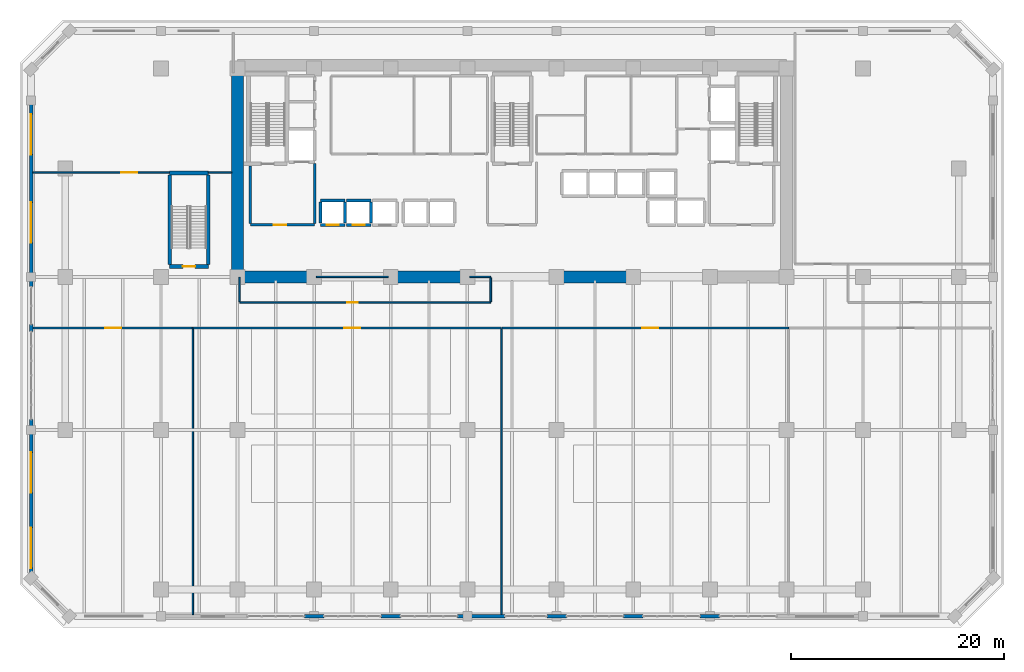
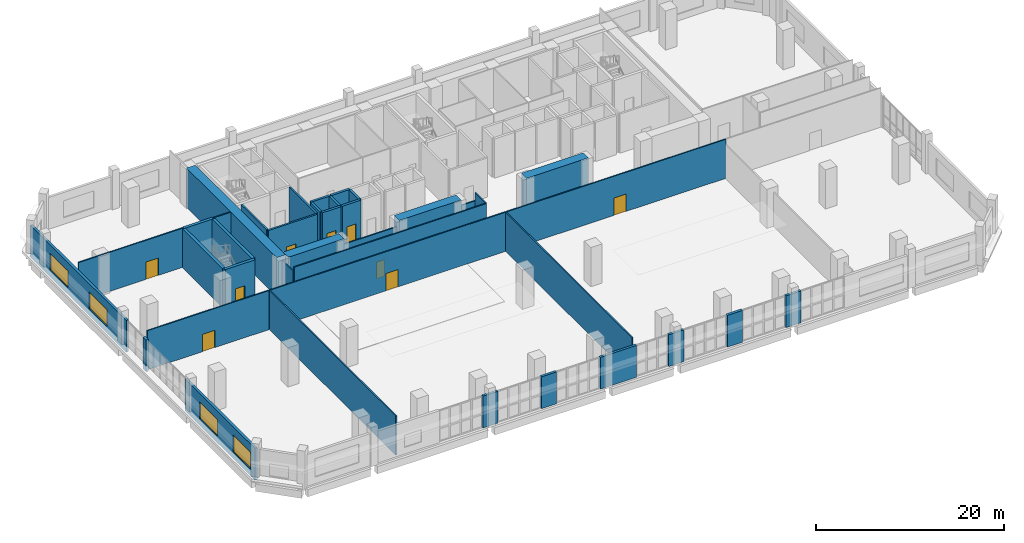
# One storey, part 18 of 25: 39 walls, 9 doors, 4 windows, 13 openings.
"""IFC4 building model written with IfcOpenShell, lengths in metres."""

from ifc_helpers import new_model, si_unit, direction, frame, frame_2d, origin, place, context, subcontext, project, spatial, rectangle, extrude, material, layer, layer_set, type_object, element, fill, save


model = new_model("IFC4")

# Units and contexts
model_context = context("Model", 3, precision=1e-05, world=origin(), true_north=direction((0.0, 1.0)))
body_context = subcontext(model_context, "Body", "Model", "MODEL_VIEW")
ifc_project = project(units=[si_unit("LENGTHUNIT", "METRE"), si_unit("AREAUNIT", "SQUARE_METRE"), si_unit("VOLUMEUNIT", "CUBIC_METRE"), si_unit("PLANEANGLEUNIT", "RADIAN"), si_unit("MASSUNIT", "GRAM", prefix="KILO")], contexts=[model_context])

# Site, building, storey
site_placement = place(None, origin())
site = spatial("IfcSite", under=ifc_project, at=site_placement, CompositionType="ELEMENT")
building_placement = place(site_placement, origin())
building = spatial("IfcBuilding", under=site, at=building_placement, Name="Kaelvorn Grand Hotel", CompositionType="ELEMENT")
storey_placement = place(building_placement, frame((0.0, 0.0, 14.0)))
storey = spatial("IfcBuildingStorey", under=building, at=storey_placement, Name="L02", CompositionType="ELEMENT", Elevation=14.0)

# Walls
ifc_material_1 = material(Name="Concrete C80/95", Category="concrete")
ifc_layer_1 = layer(ifc_material_1, 1.10009765625)
ifc_layer_set_1 = layer_set([ifc_layer_1], Name="Concrete C80/95")
wall_type_1 = type_object("IfcWallType", Name="WL-CORE-1100-C80", PredefinedType="SHEAR", material=ifc_layer_set_1)
wall_1_placement = place(storey_placement, frame((16.199951171875, 29.39990234375, 0.0), z_axis=(0.0, 0.0, 1.0), x_axis=(0.0, 1.0, 0.0)))
element("IfcWall", 1, at=wall_1_placement, inside=storey, type_object=wall_type_1, Name="L02 Rear-Core West Shear Wall", PredefinedType="SHEAR", context=body_context, shape_type="SweptSolid", body=[
    extrude(rectangle(XDim=19.2001953125, YDim=1.10009765625, at=frame_2d((9.60009765625, 0.0))), origin(), (0.0, 0.0, 1.0), 5.080078125),
])
wall_2_placement = place(storey_placement, frame((16.7548828125, 29.39990234375, 0.0), z_axis=(0.0, 0.0, 1.0), x_axis=(1.0, 0.0, 0.0)))
element("IfcWall", 2, at=wall_2_placement, inside=storey, type_object=wall_type_1, Name="L02 Rear-Core Coupled Shear Pier S1", PredefinedType="SHEAR", context=body_context, shape_type="SweptSolid", body=[
    extrude(rectangle(XDim=6.84521484375, YDim=1.10009765625, at=frame_2d((3.422607421875, 0.0))), origin(), (0.0, 0.0, 1.0), 5.080078125),
])
for number, where, z_axis, x_axis, name in (
    (3, (30.39990234375, 29.39990234375, 0.0), (0.0, 0.0, 1.0), (1.0, 0.0, 0.0), "L02 Rear-Core Coupled Shear Pier S2"),
    (4, (46.0, 29.39990234375, 0.0), (0.0, 0.0, 1.0), (1.0, 0.0, 0.0), "L02 Rear-Core Coupled Shear Pier S3"),
):
    element("IfcWall", number, at=place(storey_placement, frame(where, z_axis=z_axis, x_axis=x_axis)), inside=storey, type_object=wall_type_1, Name=name, PredefinedType="SHEAR", context=body_context, shape_type="SweptSolid", body=[
        extrude(rectangle(XDim=7.60009765625, YDim=1.10009765625, at=frame_2d((3.800048828125, 0.0))), origin(), (0.0, 0.0, 1.0), 5.080078125),
    ])
ifc_material_2 = material(Name="Concrete C40/50", Category="concrete")
ifc_layer_2 = layer(ifc_material_2, 0.300048828125)
ifc_layer_set_2 = layer_set([ifc_layer_2], Name="Concrete C40/50")
wall_type_2 = type_object("IfcWallType", Name="WL-EXT-300-C40", PredefinedType="SOLIDWALL", material=ifc_layer_set_2)
for number, where, z_axis, x_axis, name in (
    (5, (22.47509765625, -2.5, 0.0), (0.0, 0.0, 1.0), (1.0, 0.0, 0.0), "L02 Exterior Architectural Concrete Wall 01 Pier 2"),
    (6, (29.675048828125, -2.5, 0.0), (0.0, 0.0, 1.0), (1.0, 0.0, 0.0), "L02 Exterior Architectural Concrete Wall 01 Pier 3"),
):
    element("IfcWall", number, at=place(storey_placement, frame(where, z_axis=z_axis, x_axis=x_axis)), inside=storey, type_object=wall_type_2, Name=name, PredefinedType="SOLIDWALL", context=body_context, shape_type="SweptSolid", body=[
        extrude(rectangle(XDim=1.849853515625, YDim=0.300048828125, at=frame_2d((0.9248046875, 0.0))), origin(), (0.0, 0.0, 1.0), 4.1298828125),
    ])
wall_3_placement = place(storey_placement, frame((36.875, -2.5, 0.0), z_axis=(0.0, 0.0, 1.0), x_axis=(1.0, 0.0, 0.0)))
element("IfcWall", 7, at=wall_3_placement, inside=storey, type_object=wall_type_2, Name="L02 Exterior Architectural Concrete Wall 01 Pier 4", PredefinedType="SOLIDWALL", context=body_context, shape_type="SweptSolid", body=[
    extrude(rectangle(XDim=4.449951171875, YDim=0.300048828125, at=frame_2d((2.22509765625, 0.0))), origin(), (0.0, 0.0, 1.0), 4.1298828125),
])
wall_4_placement = place(storey_placement, frame((45.27490234375, -2.5, 0.0), z_axis=(0.0, 0.0, 1.0), x_axis=(1.0, 0.0, 0.0)))
element("IfcWall", 8, at=wall_4_placement, inside=storey, type_object=wall_type_2, Name="L02 Exterior Architectural Concrete Wall 01 Pier 5", PredefinedType="SOLIDWALL", context=body_context, shape_type="SweptSolid", body=[
    extrude(rectangle(XDim=1.85009765625, YDim=0.300048828125, at=frame_2d((0.925048828125, 0.0))), origin(), (0.0, 0.0, 1.0), 4.1298828125),
])
for number, where, z_axis, x_axis, name in (
    (9, (52.47509765625, -2.5, 0.0), (0.0, 0.0, 1.0), (1.0, 0.0, 0.0), "L02 Exterior Architectural Concrete Wall 01 Pier 6"),
    (10, (59.675048828125, -2.5, 0.0), (0.0, 0.0, 1.0), (1.0, 0.0, 0.0), "L02 Exterior Architectural Concrete Wall 01 Pier 7"),
):
    element("IfcWall", number, at=place(storey_placement, frame(where, z_axis=z_axis, x_axis=x_axis)), inside=storey, type_object=wall_type_2, Name=name, PredefinedType="SOLIDWALL", context=body_context, shape_type="SweptSolid", body=[
        extrude(rectangle(XDim=1.849853515625, YDim=0.300048828125, at=frame_2d((0.9248046875, 0.0))), origin(), (0.0, 0.0, 1.0), 4.1298828125),
    ])

# Wall, openings, windows
wall_5_placement = place(storey_placement, frame((-3.199951171875, 48.89990234375, 0.0), z_axis=(0.0, 0.0, 1.0), x_axis=(0.0, -1.0, 0.0)))
wall_5 = element("IfcWall", 11, at=wall_5_placement, inside=storey, type_object=wall_type_2, Name="L02 Exterior Architectural Concrete Wall 07 Pier 1", PredefinedType="SOLIDWALL", context=body_context, shape_type="SweptSolid", body=[
    extrude(rectangle(XDim=20.4248046875, YDim=0.300048828125, at=frame_2d((10.21240234375, 0.0))), origin(), (0.0, 0.0, 1.0), 4.1298828125),
])
opening_1_placement = place(wall_5_placement, frame((12.5, 0.0, 0.85009765625)))
opening_1 = element("IfcOpeningElement", 12, at=opening_1_placement, cuts=wall_5, Name="Opening W9", PredefinedType="OPENING", context=body_context, shape_type="SweptSolid", body=[
    extrude(rectangle(XDim=3.800048828125, YDim=2.199951171875, at=frame_2d((1.89990234375, 1.10009765625))), frame((0.0, 0.16015625, 0.0), z_axis=(0.0, -1.0, 0.0), x_axis=(1.0, 0.0, 0.0)), (0.0, 0.0, 1.0), 0.320068359375),
])
opening_2_placement = place(wall_5_placement, frame((4.199951171875, 0.0, 0.85009765625)))
opening_2 = element("IfcOpeningElement", 13, at=opening_2_placement, cuts=wall_5, Name="Opening W9", PredefinedType="OPENING", context=body_context, shape_type="SweptSolid", body=[
    extrude(rectangle(XDim=3.800048828125, YDim=2.199951171875, at=frame_2d((1.89990234375, 1.10009765625))), frame((0.0, 0.16015625, 0.0), z_axis=(0.0, -1.0, 0.0), x_axis=(1.0, 0.0, 0.0)), (0.0, 0.0, 1.0), 0.320068359375),
])
ifc_material_3 = material(Name="Laminated Low-E Glass", Category="glass")
window_type = type_object("IfcWindowType", Name="WIN-POD-3800x2200", PartitioningType="SINGLE_PANEL", PredefinedType="WINDOW", material=ifc_material_3)
window_1_placement = place(opening_1_placement, origin())
window_1 = element("IfcWindow", 14, at=window_1_placement, inside=storey, type_object=window_type, Name="L02 Podium W Ribbon Window 1", OverallHeight=2.199951171875, OverallWidth=3.800048828125, PartitioningType="SINGLE_PANEL", PredefinedType="WINDOW", context=body_context, shape_type="SweptSolid", body=[
    extrude(rectangle(XDim=3.800048828125, YDim=2.199951171875, at=frame_2d((1.89990234375, 1.10009765625))), frame((0.0, 0.030029296875, 0.0), z_axis=(0.0, -1.0, 0.0), x_axis=(1.0, 0.0, 0.0)), (0.0, 0.0, 1.0), 0.06005859375),
])
fill(opening_1, window_1)
window_2_placement = place(opening_2_placement, origin())
window_2 = element("IfcWindow", 15, at=window_2_placement, inside=storey, type_object=window_type, Name="L02 Podium W Ribbon Window 2", OverallHeight=2.199951171875, OverallWidth=3.800048828125, PartitioningType="SINGLE_PANEL", PredefinedType="WINDOW", context=body_context, shape_type="SweptSolid", body=[
    extrude(rectangle(XDim=3.800048828125, YDim=2.199951171875, at=frame_2d((1.89990234375, 1.10009765625))), frame((0.0, 0.030029296875, 0.0), z_axis=(0.0, -1.0, 0.0), x_axis=(1.0, 0.0, 0.0)), (0.0, 0.0, 1.0), 0.06005859375),
])
fill(opening_2, window_2)

# Wall
wall_6_placement = place(storey_placement, frame((-3.199951171875, 24.925048828125, 0.0), z_axis=(0.0, 0.0, 1.0), x_axis=(0.0, -1.0, 0.0)))
element("IfcWall", 16, at=wall_6_placement, inside=storey, type_object=wall_type_2, Name="L02 Exterior Architectural Concrete Wall 07 Pier 2", PredefinedType="SOLIDWALL", context=body_context, shape_type="SweptSolid", body=[
    extrude(rectangle(XDim=0.650146484375, YDim=0.300048828125, at=frame_2d((0.3251953125, 0.0))), origin(), (0.0, 0.0, 1.0), 4.1298828125),
])

# Wall, openings, windows
wall_7_placement = place(storey_placement, frame((-3.199951171875, 16.0048828125, 0.0), z_axis=(0.0, 0.0, 1.0), x_axis=(0.0, -1.0, 0.0)))
wall_7 = element("IfcWall", 17, at=wall_7_placement, inside=storey, type_object=wall_type_2, Name="L02 Exterior Architectural Concrete Wall 07 Pier 3", PredefinedType="SOLIDWALL", context=body_context, shape_type="SweptSolid", body=[
    extrude(rectangle(XDim=14.90478515625, YDim=0.300048828125, at=frame_2d((7.452392578125, 0.0))), origin(), (0.0, 0.0, 1.0), 4.1298828125),
])
opening_3_placement = place(wall_7_placement, frame((10.179931640625, 0.0, 0.85009765625)))
opening_3 = element("IfcOpeningElement", 18, at=opening_3_placement, cuts=wall_7, Name="Opening W9", PredefinedType="OPENING", context=body_context, shape_type="SweptSolid", body=[
    extrude(rectangle(XDim=3.800048828125, YDim=2.199951171875, at=frame_2d((1.89990234375, 1.10009765625))), frame((0.0, 0.16015625, 0.0), z_axis=(0.0, -1.0, 0.0), x_axis=(1.0, 0.0, 0.0)), (0.0, 0.0, 1.0), 0.320068359375),
])
opening_4_placement = place(wall_7_placement, frame((3.10498046875, 0.0, 0.85009765625)))
opening_4 = element("IfcOpeningElement", 19, at=opening_4_placement, cuts=wall_7, Name="Opening W9", PredefinedType="OPENING", context=body_context, shape_type="SweptSolid", body=[
    extrude(rectangle(XDim=3.800048828125, YDim=2.199951171875, at=frame_2d((1.89990234375, 1.10009765625))), frame((0.0, 0.16015625, 0.0), z_axis=(0.0, -1.0, 0.0), x_axis=(1.0, 0.0, 0.0)), (0.0, 0.0, 1.0), 0.320068359375),
])
window_3_placement = place(opening_3_placement, origin())
window_3 = element("IfcWindow", 20, at=window_3_placement, inside=storey, type_object=window_type, Name="L02 Podium W Ribbon Window 1", OverallHeight=2.199951171875, OverallWidth=3.800048828125, PartitioningType="SINGLE_PANEL", PredefinedType="WINDOW", context=body_context, shape_type="SweptSolid", body=[
    extrude(rectangle(XDim=3.800048828125, YDim=2.199951171875, at=frame_2d((1.89990234375, 1.10009765625))), frame((0.0, 0.030029296875, 0.0), z_axis=(0.0, -1.0, 0.0), x_axis=(1.0, 0.0, 0.0)), (0.0, 0.0, 1.0), 0.06005859375),
])
fill(opening_3, window_3)
window_4_placement = place(opening_4_placement, origin())
window_4 = element("IfcWindow", 21, at=window_4_placement, inside=storey, type_object=window_type, Name="L02 Podium W Ribbon Window 2", OverallHeight=2.199951171875, OverallWidth=3.800048828125, PartitioningType="SINGLE_PANEL", PredefinedType="WINDOW", context=body_context, shape_type="SweptSolid", body=[
    extrude(rectangle(XDim=3.800048828125, YDim=2.199951171875, at=frame_2d((1.89990234375, 1.10009765625))), frame((0.0, 0.030029296875, 0.0), z_axis=(0.0, -1.0, 0.0), x_axis=(1.0, 0.0, 0.0)), (0.0, 0.0, 1.0), 0.06005859375),
])
fill(opening_4, window_4)

# Wall, opening, door
ifc_material_4 = material(Name="Acoustic Gypsum & Stud Partition")
ifc_layer_3 = layer(ifc_material_4, 0.14990234375)
ifc_layer_set_3 = layer_set([ifc_layer_3], Name="Acoustic Gypsum & Stud Partition")
wall_type_3 = type_object("IfcWallType", Name="WL-PART-150-EI60", PredefinedType="PARTITIONING", material=ifc_layer_set_3)
wall_8_placement = place(storey_placement, frame((-3.044921875, 39.199951171875, 0.0), z_axis=(0.0, 0.0, 1.0), x_axis=(1.0, 0.0, 0.0)))
wall_8 = element("IfcWall", 22, at=wall_8_placement, inside=storey, type_object=wall_type_3, Name="L02 L02 North-West Banquet Support & Admin Office S Partition (1)", PredefinedType="PARTITIONING", context=body_context, shape_type="SweptSolid", body=[
    extrude(rectangle(XDim=12.85986328125, YDim=0.14990234375, at=frame_2d((6.429931640625, 0.0))), origin(), (0.0, 0.0, 1.0), 5.080078125),
])
opening_5_placement = place(wall_8_placement, frame((8.294921875, 0.0, 0.0)))
opening_5 = element("IfcOpeningElement", 23, at=opening_5_placement, cuts=wall_8, Name="Opening DI5", PredefinedType="OPENING", context=body_context, shape_type="SweptSolid", body=[
    extrude(rectangle(XDim=1.5, YDim=2.25, at=frame_2d((0.75, 1.125))), frame((0.0, 0.0849609375, 0.0), z_axis=(0.0, -1.0, 0.0), x_axis=(1.0, 0.0, 0.0)), (0.0, 0.0, 1.0), 0.169921875),
])
ifc_material_5 = material(Name="Timber Veneer Fire Leaf", Category="wood")
door_type_1 = type_object("IfcDoorType", Name="DR-INT-SALON-1500x2250", OperationType="DOUBLE_DOOR_SINGLE_SWING", PredefinedType="DOOR", material=ifc_material_5)
door_1_placement = place(opening_5_placement, origin())
door_1 = element("IfcDoor", 24, at=door_1_placement, inside=storey, type_object=door_type_1, Name="L02 L02 North-West Banquet Support & Admin Office Door", OperationType="DOUBLE_DOOR_SINGLE_SWING", OverallHeight=2.25, OverallWidth=1.5, PredefinedType="DOOR", context=body_context, shape_type="SweptSolid", body=[
    extrude(rectangle(XDim=1.5, YDim=2.25, at=frame_2d((0.75, 1.125))), frame((0.0, 0.02490234375, 0.0), z_axis=(0.0, -1.0, 0.0), x_axis=(1.0, 0.0, 0.0)), (0.0, 0.0, 1.0), 0.050048828125),
])
fill(opening_5, door_1)

# Wall
wall_9_placement = place(storey_placement, frame((13.465087890625, 39.199951171875, 0.0), z_axis=(0.0, 0.0, 1.0), x_axis=(1.0, 0.0, 0.0)))
element("IfcWall", 25, at=wall_9_placement, inside=storey, type_object=wall_type_3, Name="L02 L02 North-West Banquet Support & Admin Office S Partition (2)", PredefinedType="PARTITIONING", context=body_context, shape_type="SweptSolid", body=[
    extrude(rectangle(XDim=2.179931640625, YDim=0.14990234375, at=frame_2d((1.08984375, 0.0))), origin(), (0.0, 0.0, 1.0), 5.080078125),
])

# Wall, opening, door
wall_10_placement = place(storey_placement, frame((12.0, 24.60009765625, 0.0), z_axis=(0.0, 0.0, 1.0), x_axis=(1.0, 0.0, 0.0)))
wall_10 = element("IfcWall", 26, at=wall_10_placement, inside=storey, type_object=wall_type_3, Name="L02 All-Day Dining Brasserie N Partition", PredefinedType="PARTITIONING", context=body_context, shape_type="SweptSolid", body=[
    extrude(rectangle(XDim=29.0, YDim=0.14990234375, at=frame_2d((14.5, 0.0))), origin(), (0.0, 0.0, 1.0), 5.080078125),
])
opening_6_placement = place(wall_10_placement, frame((14.25, 0.0, 0.0)))
opening_6 = element("IfcOpeningElement", 27, at=opening_6_placement, cuts=wall_10, Name="Opening DI5", PredefinedType="OPENING", context=body_context, shape_type="SweptSolid", body=[
    extrude(rectangle(XDim=1.5, YDim=2.25, at=frame_2d((0.75, 1.125))), frame((0.0, 0.0849609375, 0.0), z_axis=(0.0, -1.0, 0.0), x_axis=(1.0, 0.0, 0.0)), (0.0, 0.0, 1.0), 0.169921875),
])
door_2_placement = place(opening_6_placement, origin())
door_2 = element("IfcDoor", 28, at=door_2_placement, inside=storey, type_object=door_type_1, Name="L02 All-Day Dining Brasserie Door", OperationType="DOUBLE_DOOR_SINGLE_SWING", OverallHeight=2.25, OverallWidth=1.5, PredefinedType="DOOR", context=body_context, shape_type="SweptSolid", body=[
    extrude(rectangle(XDim=1.5, YDim=2.25, at=frame_2d((0.75, 1.125))), frame((0.0, 0.02490234375, 0.0), z_axis=(0.0, -1.0, 0.0), x_axis=(1.0, 0.0, 0.0)), (0.0, 0.0, 1.0), 0.050048828125),
])
fill(opening_6, door_2)

# Walls
for number, where, z_axis, x_axis, name in (
    (29, (12.0, -2.344970703125, 0.0), (0.0, 0.0, 1.0), (0.0, 1.0, 0.0), "L02 All-Day Dining Brasserie W Partition"),
    (30, (41.0, -2.344970703125, 0.0), (0.0, 0.0, 1.0), (0.0, 1.0, 0.0), "L02 All-Day Dining Brasserie E Partition"),
):
    element("IfcWall", number, at=place(storey_placement, frame(where, z_axis=z_axis, x_axis=x_axis)), inside=storey, type_object=wall_type_3, Name=name, PredefinedType="PARTITIONING", context=body_context, shape_type="SweptSolid", body=[
        extrude(rectangle(XDim=26.864990234375, YDim=0.14990234375, at=frame_2d((13.4326171875, 0.0))), origin(), (0.0, 0.0, 1.0), 5.080078125),
    ])

# Wall, opening, door
wall_11_placement = place(storey_placement, frame((41.080078125, 24.60009765625, 0.0), z_axis=(0.0, 0.0, 1.0), x_axis=(1.0, 0.0, 0.0)))
wall_11 = element("IfcWall", 31, at=wall_11_placement, inside=storey, type_object=wall_type_3, Name="L02 Specialty Malaysian Fine Dining Restaurant N Partition", PredefinedType="PARTITIONING", context=body_context, shape_type="SweptSolid", body=[
    extrude(rectangle(XDim=26.919921875, YDim=0.14990234375, at=frame_2d((13.4599609375, 0.0))), origin(), (0.0, 0.0, 1.0), 5.080078125),
])
opening_7_placement = place(wall_11_placement, frame((13.169921875, 0.0, 0.0)))
opening_7 = element("IfcOpeningElement", 32, at=opening_7_placement, cuts=wall_11, Name="Opening DI5", PredefinedType="OPENING", context=body_context, shape_type="SweptSolid", body=[
    extrude(rectangle(XDim=1.5, YDim=2.25, at=frame_2d((0.75, 1.125))), frame((0.0, 0.0849609375, 0.0), z_axis=(0.0, -1.0, 0.0), x_axis=(1.0, 0.0, 0.0)), (0.0, 0.0, 1.0), 0.169921875),
])
door_3_placement = place(opening_7_placement, origin())
door_3 = element("IfcDoor", 33, at=door_3_placement, inside=storey, type_object=door_type_1, Name="L02 Specialty Malaysian Fine Dining Restaurant Door", OperationType="DOUBLE_DOOR_SINGLE_SWING", OverallHeight=2.25, OverallWidth=1.5, PredefinedType="DOOR", context=body_context, shape_type="SweptSolid", body=[
    extrude(rectangle(XDim=1.5, YDim=2.25, at=frame_2d((0.75, 1.125))), frame((0.0, 0.02490234375, 0.0), z_axis=(0.0, -1.0, 0.0), x_axis=(1.0, 0.0, 0.0)), (0.0, 0.0, 1.0), 0.050048828125),
])
fill(opening_7, door_3)

wall_12_placement = place(storey_placement, frame((16.39990234375, 27.0, 0.0), z_axis=(0.0, 0.0, 1.0), x_axis=(1.0, 0.0, 0.0)))
wall_12 = element("IfcWall", 34, at=wall_12_placement, inside=storey, type_object=wall_type_3, Name="L02 Private Banquet Dining Salon S Partition", PredefinedType="PARTITIONING", context=body_context, shape_type="SweptSolid", body=[
    extrude(rectangle(XDim=23.60009765625, YDim=0.14990234375, at=frame_2d((11.800048828125, 0.0))), origin(), (0.0, 0.0, 1.0), 5.080078125),
])
opening_8_placement = place(wall_12_placement, frame((10.10009765625, 0.0, 0.0)))
opening_8 = element("IfcOpeningElement", 35, at=opening_8_placement, cuts=wall_12, Name="Opening DI3", PredefinedType="OPENING", context=body_context, shape_type="SweptSolid", body=[
    extrude(rectangle(XDim=1.0, YDim=2.14990234375, at=frame_2d((0.5, 1.074951171875))), frame((0.0, 0.0849609375, 0.0), z_axis=(0.0, -1.0, 0.0), x_axis=(1.0, 0.0, 0.0)), (0.0, 0.0, 1.0), 0.169921875),
])
door_type_2 = type_object("IfcDoorType", Name="DR-INT-GUEST-1000x2150", OperationType="NOTDEFINED", PredefinedType="DOOR", material=ifc_material_5)
door_4_placement = place(opening_8_placement, origin())
door_4 = element("IfcDoor", 36, at=door_4_placement, inside=storey, type_object=door_type_2, Name="L02 Private Banquet Dining Salon Door", OperationType="SINGLE_SWING_LEFT", OverallHeight=2.14990234375, OverallWidth=1.0, PredefinedType="DOOR", context=body_context, shape_type="SweptSolid", body=[
    extrude(rectangle(XDim=1.0, YDim=2.14990234375, at=frame_2d((0.5, 1.074951171875))), frame((0.0, 0.02490234375, 0.0), z_axis=(0.0, -1.0, 0.0), x_axis=(1.0, 0.0, 0.0)), (0.0, 0.0, 1.0), 0.050048828125),
])
fill(opening_8, door_4)

# Walls
wall_13_placement = place(storey_placement, frame((23.610107421875, 29.39990234375, 0.0), z_axis=(0.0, 0.0, 1.0), x_axis=(1.0, 0.0, 0.0)))
element("IfcWall", 37, at=wall_13_placement, inside=storey, type_object=wall_type_3, Name="L02 Private Banquet Dining Salon N Partition (1)", PredefinedType="PARTITIONING", context=body_context, shape_type="SweptSolid", body=[
    extrude(rectangle(XDim=6.77978515625, YDim=0.14990234375, at=frame_2d((3.389892578125, 0.0))), origin(), (0.0, 0.0, 1.0), 3.97998046875),
])
wall_14_placement = place(storey_placement, frame((38.010009765625, 29.39990234375, 0.0), z_axis=(0.0, 0.0, 1.0), x_axis=(1.0, 0.0, 0.0)))
element("IfcWall", 38, at=wall_14_placement, inside=storey, type_object=wall_type_3, Name="L02 Private Banquet Dining Salon N Partition (2)", PredefinedType="PARTITIONING", context=body_context, shape_type="SweptSolid", body=[
    extrude(rectangle(XDim=1.989990234375, YDim=0.14990234375, at=frame_2d((0.9951171875, 0.0))), origin(), (0.0, 0.0, 1.0), 3.97998046875),
])
wall_15_placement = place(storey_placement, frame((16.39990234375, 27.080078125, 0.0), z_axis=(0.0, 0.0, 1.0), x_axis=(0.0, 1.0, 0.0)))
element("IfcWall", 39, at=wall_15_placement, inside=storey, type_object=wall_type_3, Name="L02 Private Banquet Dining Salon W Partition", PredefinedType="PARTITIONING", context=body_context, shape_type="SweptSolid", body=[
    extrude(rectangle(XDim=2.309814453125, YDim=0.14990234375, at=frame_2d((1.15478515625, 0.0))), origin(), (0.0, 0.0, 1.0), 4.47998046875),
])
wall_16_placement = place(storey_placement, frame((40.0, 27.080078125, 0.0), z_axis=(0.0, 0.0, 1.0), x_axis=(0.0, 1.0, 0.0)))
element("IfcWall", 40, at=wall_16_placement, inside=storey, type_object=wall_type_3, Name="L02 Private Banquet Dining Salon E Partition", PredefinedType="PARTITIONING", context=body_context, shape_type="SweptSolid", body=[
    extrude(rectangle(XDim=2.239990234375, YDim=0.14990234375, at=frame_2d((1.1201171875, 0.0))), origin(), (0.0, 0.0, 1.0), 5.080078125),
])

# Wall, opening, door
wall_17_placement = place(storey_placement, frame((-3.044921875, 24.60009765625, 0.0), z_axis=(0.0, 0.0, 1.0), x_axis=(1.0, 0.0, 0.0)))
wall_17 = element("IfcWall", 41, at=wall_17_placement, inside=storey, type_object=wall_type_3, Name="L02 Main Production Kitchen N Partition", PredefinedType="PARTITIONING", context=body_context, shape_type="SweptSolid", body=[
    extrude(rectangle(XDim=14.96484375, YDim=0.14990234375, at=frame_2d((7.482421875, 0.0))), origin(), (0.0, 0.0, 1.0), 5.080078125),
])
opening_9_placement = place(wall_17_placement, frame((6.794921875, 0.0, 0.0)))
opening_9 = element("IfcOpeningElement", 42, at=opening_9_placement, cuts=wall_17, Name="Opening DI5", PredefinedType="OPENING", context=body_context, shape_type="SweptSolid", body=[
    extrude(rectangle(XDim=1.5, YDim=2.25, at=frame_2d((0.75, 1.125))), frame((0.0, 0.0849609375, 0.0), z_axis=(0.0, -1.0, 0.0), x_axis=(1.0, 0.0, 0.0)), (0.0, 0.0, 1.0), 0.169921875),
])
door_5_placement = place(opening_9_placement, origin())
door_5 = element("IfcDoor", 43, at=door_5_placement, inside=storey, type_object=door_type_1, Name="L02 Main Production Kitchen Door", OperationType="DOUBLE_DOOR_SINGLE_SWING", OverallHeight=2.25, OverallWidth=1.5, PredefinedType="DOOR", context=body_context, shape_type="SweptSolid", body=[
    extrude(rectangle(XDim=1.5, YDim=2.25, at=frame_2d((0.75, 1.125))), frame((0.0, 0.02490234375, 0.0), z_axis=(0.0, -1.0, 0.0), x_axis=(1.0, 0.0, 0.0)), (0.0, 0.0, 1.0), 0.050048828125),
])
fill(opening_9, door_5)

ifc_layer_4 = layer(ifc_material_2, 0.219970703125)
ifc_layer_set_4 = layer_set([ifc_layer_4], Name="Concrete C40/50")
wall_type_4 = type_object("IfcWallType", Name="WL-PART-220-EI120", PredefinedType="PARTITIONING", material=ifc_layer_set_4)
wall_18_placement = place(storey_placement, frame((17.39990234375, 34.300048828125, 0.0), z_axis=(0.0, 0.0, 1.0), x_axis=(1.0, 0.0, 0.0)))
wall_18 = element("IfcWall", 44, at=wall_18_placement, inside=storey, type_object=wall_type_4, Name="L02 Firefighting Lift Lobby 1 S Partition", PredefinedType="PARTITIONING", context=body_context, shape_type="SweptSolid", body=[
    extrude(rectangle(XDim=6.050048828125, YDim=0.219970703125, at=frame_2d((3.02490234375, 0.0))), origin(), (0.0, 0.0, 1.0), 5.080078125),
])
opening_10_placement = place(wall_18_placement, frame((2.199951171875, 0.0, 0.0)))
opening_10 = element("IfcOpeningElement", 45, at=opening_10_placement, cuts=wall_18, Name="Opening DI2", PredefinedType="OPENING", context=body_context, shape_type="SweptSolid", body=[
    extrude(rectangle(XDim=1.199951171875, YDim=2.14990234375, at=frame_2d((0.60009765625, 1.074951171875))), frame((0.0, 0.1201171875, 0.0), z_axis=(0.0, -1.0, 0.0), x_axis=(1.0, 0.0, 0.0)), (0.0, 0.0, 1.0), 0.239990234375),
])
door_type_3 = type_object("IfcDoorType", Name="DR-INT-FFLOB-1200x2150", OperationType="NOTDEFINED", PredefinedType="DOOR", material=ifc_material_5)
door_6_placement = place(opening_10_placement, origin())
door_6 = element("IfcDoor", 46, at=door_6_placement, inside=storey, type_object=door_type_3, Name="L02 Firefighting Lift Lobby 1 Door", OperationType="SINGLE_SWING_RIGHT", OverallHeight=2.14990234375, OverallWidth=1.199951171875, PredefinedType="DOOR", context=body_context, shape_type="SweptSolid", body=[
    extrude(rectangle(XDim=1.199951171875, YDim=2.14990234375, at=frame_2d((0.60009765625, 1.074951171875))), frame((0.0, 0.02490234375, 0.0), z_axis=(0.0, -1.0, 0.0), x_axis=(1.0, 0.0, 0.0)), (0.0, 0.0, 1.0), 0.050048828125),
])
fill(opening_10, door_6)

# Walls
wall_19_placement = place(storey_placement, frame((17.39990234375, 34.4150390625, 0.0), z_axis=(0.0, 0.0, 1.0), x_axis=(0.0, 1.0, 0.0)))
element("IfcWall", 47, at=wall_19_placement, inside=storey, type_object=wall_type_4, Name="L02 Firefighting Lift Lobby 1 W Partition", PredefinedType="PARTITIONING", context=body_context, shape_type="SweptSolid", body=[
    extrude(rectangle(XDim=5.429931640625, YDim=0.219970703125, at=frame_2d((2.71484375, 0.0))), origin(), (0.0, 0.0, 1.0), 5.080078125),
])
wall_20_placement = place(storey_placement, frame((23.449951171875, 34.4150390625, 0.0), z_axis=(0.0, 0.0, 1.0), x_axis=(0.0, 1.0, 0.0)))
element("IfcWall", 48, at=wall_20_placement, inside=storey, type_object=wall_type_4, Name="L02 Firefighting Lift Lobby 1 E Partition", PredefinedType="PARTITIONING", context=body_context, shape_type="SweptSolid", body=[
    extrude(rectangle(XDim=5.639892578125, YDim=0.219970703125, at=frame_2d((2.81982421875, 0.0))), origin(), (0.0, 0.0, 1.0), 5.080078125),
])

# Wall, opening, door
ifc_material_6 = material(Name="Concrete C50/60", Category="concrete")
ifc_layer_5 = layer(ifc_material_6, 0.280029296875)
ifc_layer_set_5 = layer_set([ifc_layer_5], Name="Concrete C50/60")
wall_type_5 = type_object("IfcWallType", Name="WL-SHAFT-280-C50", PredefinedType="SHEAR", material=ifc_layer_set_5)
wall_21_placement = place(storey_placement, frame((24.0, 34.300048828125, 0.0), z_axis=(0.0, 0.0, 1.0), x_axis=(1.0, 0.0, 0.0)))
wall_21 = element("IfcWall", 49, at=wall_21_placement, inside=storey, type_object=wall_type_5, Name="L02 Lift PL-L1 Shaft South Wall", PredefinedType="SHEAR", context=body_context, shape_type="SweptSolid", body=[
    extrude(rectangle(XDim=2.300048828125, YDim=0.280029296875, at=frame_2d((1.14990234375, 0.0))), origin(), (0.0, 0.0, 1.0), 5.080078125),
])
opening_11_placement = place(wall_21_placement, frame((0.60009765625, 0.0, 0.0)))
opening_11 = element("IfcOpeningElement", 50, at=opening_11_placement, cuts=wall_21, Name="Opening LD-PL-L1", PredefinedType="OPENING", context=body_context, shape_type="SweptSolid", body=[
    extrude(rectangle(XDim=1.10009765625, YDim=2.199951171875, at=frame_2d((0.550048828125, 1.10009765625))), frame((0.0, 0.14990234375, 0.0), z_axis=(0.0, -1.0, 0.0), x_axis=(1.0, 0.0, 0.0)), (0.0, 0.0, 1.0), 0.300048828125),
])
ifc_material_7 = material(Name="Stainless Steel", Category="steel")
door_type_4 = type_object("IfcDoorType", Name="DR-LIFT-PASS-1100x2200", OperationType="DOUBLE_DOOR_SLIDING", PredefinedType="DOOR", material=ifc_material_7)
door_7_placement = place(opening_11_placement, origin())
door_7 = element("IfcDoor", 51, at=door_7_placement, inside=storey, type_object=door_type_4, Name="L02 Lift PL-L1 Sliding Landing Door LD-PL-L1", OperationType="DOUBLE_DOOR_SLIDING", OverallHeight=2.199951171875, OverallWidth=1.10009765625, PredefinedType="DOOR", context=body_context, shape_type="SweptSolid", body=[
    extrude(rectangle(XDim=1.10009765625, YDim=2.199951171875, at=frame_2d((0.550048828125, 1.10009765625))), frame((0.0, 0.02490234375, 0.0), z_axis=(0.0, -1.0, 0.0), x_axis=(1.0, 0.0, 0.0)), (0.0, 0.0, 1.0), 0.050048828125),
])
fill(opening_11, door_7)

# Walls
wall_22_placement = place(storey_placement, frame((24.0, 36.60009765625, 0.0), z_axis=(0.0, 0.0, 1.0), x_axis=(1.0, 0.0, 0.0)))
element("IfcWall", 52, at=wall_22_placement, inside=storey, type_object=wall_type_5, Name="L02 Lift PL-L1 Shaft North Wall", PredefinedType="SHEAR", context=body_context, shape_type="SweptSolid", body=[
    extrude(rectangle(XDim=2.300048828125, YDim=0.280029296875, at=frame_2d((1.14990234375, 0.0))), origin(), (0.0, 0.0, 1.0), 5.080078125),
])
for number, where, z_axis, x_axis, name in (
    (53, (24.0, 34.445068359375, 0.0), (0.0, 0.0, 1.0), (0.0, 1.0, 0.0), "L02 Lift PL-L1 Shaft West Wall"),
    (54, (26.300048828125, 34.445068359375, 0.0), (0.0, 0.0, 1.0), (0.0, 1.0, 0.0), "L02 Lift PL-L1 Shaft East Wall"),
):
    element("IfcWall", number, at=place(storey_placement, frame(where, z_axis=z_axis, x_axis=x_axis)), inside=storey, type_object=wall_type_5, Name=name, PredefinedType="SHEAR", context=body_context, shape_type="SweptSolid", body=[
        extrude(rectangle(XDim=2.010009765625, YDim=0.280029296875, at=frame_2d((1.0048828125, 0.0))), origin(), (0.0, 0.0, 1.0), 5.080078125),
    ])

# Wall, opening, door
wall_23_placement = place(storey_placement, frame((26.449951171875, 34.300048828125, 0.0), z_axis=(0.0, 0.0, 1.0), x_axis=(1.0, 0.0, 0.0)))
wall_23 = element("IfcWall", 55, at=wall_23_placement, inside=storey, type_object=wall_type_5, Name="L02 Lift PL-L2 Shaft South Wall", PredefinedType="SHEAR", context=body_context, shape_type="SweptSolid", body=[
    extrude(rectangle(XDim=2.300048828125, YDim=0.280029296875, at=frame_2d((1.14990234375, 0.0))), origin(), (0.0, 0.0, 1.0), 5.080078125),
])
opening_12_placement = place(wall_23_placement, frame((0.60009765625, 0.0, 0.0)))
opening_12 = element("IfcOpeningElement", 56, at=opening_12_placement, cuts=wall_23, Name="Opening LD-PL-L2", PredefinedType="OPENING", context=body_context, shape_type="SweptSolid", body=[
    extrude(rectangle(XDim=1.10009765625, YDim=2.199951171875, at=frame_2d((0.550048828125, 1.10009765625))), frame((0.0, 0.14990234375, 0.0), z_axis=(0.0, -1.0, 0.0), x_axis=(1.0, 0.0, 0.0)), (0.0, 0.0, 1.0), 0.300048828125),
])
door_8_placement = place(opening_12_placement, origin())
door_8 = element("IfcDoor", 57, at=door_8_placement, inside=storey, type_object=door_type_4, Name="L02 Lift PL-L2 Sliding Landing Door LD-PL-L2", OperationType="DOUBLE_DOOR_SLIDING", OverallHeight=2.199951171875, OverallWidth=1.10009765625, PredefinedType="DOOR", context=body_context, shape_type="SweptSolid", body=[
    extrude(rectangle(XDim=1.10009765625, YDim=2.199951171875, at=frame_2d((0.550048828125, 1.10009765625))), frame((0.0, 0.02490234375, 0.0), z_axis=(0.0, -1.0, 0.0), x_axis=(1.0, 0.0, 0.0)), (0.0, 0.0, 1.0), 0.050048828125),
])
fill(opening_12, door_8)

# Walls
wall_24_placement = place(storey_placement, frame((26.449951171875, 36.60009765625, 0.0), z_axis=(0.0, 0.0, 1.0), x_axis=(1.0, 0.0, 0.0)))
element("IfcWall", 58, at=wall_24_placement, inside=storey, type_object=wall_type_5, Name="L02 Lift PL-L2 Shaft North Wall", PredefinedType="SHEAR", context=body_context, shape_type="SweptSolid", body=[
    extrude(rectangle(XDim=2.300048828125, YDim=0.280029296875, at=frame_2d((1.14990234375, 0.0))), origin(), (0.0, 0.0, 1.0), 5.080078125),
])
wall_25_placement = place(storey_placement, frame((28.75, 34.445068359375, 0.0), z_axis=(0.0, 0.0, 1.0), x_axis=(0.0, 1.0, 0.0)))
element("IfcWall", 59, at=wall_25_placement, inside=storey, type_object=wall_type_5, Name="L02 Lift PL-L2 Shaft East Wall", PredefinedType="SHEAR", context=body_context, shape_type="SweptSolid", body=[
    extrude(rectangle(XDim=2.010009765625, YDim=0.280029296875, at=frame_2d((1.0048828125, 0.0))), origin(), (0.0, 0.0, 1.0), 5.080078125),
])

# Wall, opening, door
ifc_material_8 = material(Name="Concrete C60/75", Category="concrete")
ifc_layer_6 = layer(ifc_material_8, 0.35009765625)
ifc_layer_set_6 = layer_set([ifc_layer_6], Name="Concrete C60/75")
wall_type_6 = type_object("IfcWallType", Name="WL-SHAFT-350-C60", PredefinedType="SHEAR", material=ifc_layer_set_6)
wall_26_placement = place(storey_placement, frame((9.824951171875, 30.375, 0.0), z_axis=(0.0, 0.0, 1.0), x_axis=(1.0, 0.0, 0.0)))
wall_26 = element("IfcWall", 60, at=wall_26_placement, inside=storey, type_object=wall_type_6, Name="L02 ST4 Stair Shaft South Wall", PredefinedType="SHEAR", context=body_context, shape_type="SweptSolid", body=[
    extrude(rectangle(XDim=3.630126953125, YDim=0.35009765625, at=frame_2d((1.81494140625, 0.0))), origin(), (0.0, 0.0, 1.0), 5.080078125),
])
opening_13_placement = place(wall_26_placement, frame((1.239990234375, 0.0, 0.0)))
opening_13 = element("IfcOpeningElement", 61, at=opening_13_placement, cuts=wall_26, Name="Opening DI1", PredefinedType="OPENING", context=body_context, shape_type="SweptSolid", body=[
    extrude(rectangle(XDim=1.14990234375, YDim=2.14990234375, at=frame_2d((0.574951171875, 1.074951171875))), frame((0.0, 0.18505859375, 0.0), z_axis=(0.0, -1.0, 0.0), x_axis=(1.0, 0.0, 0.0)), (0.0, 0.0, 1.0), 0.3701171875),
])
door_type_5 = type_object("IfcDoorType", Name="DR-INT-STAIR-1150x2150", OperationType="NOTDEFINED", PredefinedType="DOOR", material=ifc_material_5)
door_9_placement = place(opening_13_placement, origin())
door_9 = element("IfcDoor", 62, at=door_9_placement, inside=storey, type_object=door_type_5, Name="L02 ST4 Exit Stair Fire Door", OperationType="SINGLE_SWING_LEFT", OverallHeight=2.14990234375, OverallWidth=1.14990234375, PredefinedType="DOOR", context=body_context, shape_type="SweptSolid", body=[
    extrude(rectangle(XDim=1.14990234375, YDim=2.14990234375, at=frame_2d((0.574951171875, 1.074951171875))), frame((0.0, 0.02490234375, 0.0), z_axis=(0.0, -1.0, 0.0), x_axis=(1.0, 0.0, 0.0)), (0.0, 0.0, 1.0), 0.050048828125),
])
fill(opening_13, door_9)

# Walls
wall_27_placement = place(storey_placement, frame((9.824951171875, 39.175048828125, 0.0), z_axis=(0.0, 0.0, 1.0), x_axis=(1.0, 0.0, 0.0)))
element("IfcWall", 63, at=wall_27_placement, inside=storey, type_object=wall_type_6, Name="L02 ST4 Stair Shaft North Wall", PredefinedType="SHEAR", context=body_context, shape_type="SweptSolid", body=[
    extrude(rectangle(XDim=3.630126953125, YDim=0.35009765625, at=frame_2d((1.81494140625, 0.0))), origin(), (0.0, 0.0, 1.0), 5.080078125),
])
for number, where, z_axis, x_axis, name in (
    (64, (9.824951171875, 30.554931640625, 0.0), (0.0, 0.0, 1.0), (0.0, 1.0, 0.0), "L02 ST4 Stair Shaft West Wall"),
    (65, (13.455078125, 30.554931640625, 0.0), (0.0, 0.0, 1.0), (0.0, 1.0, 0.0), "L02 ST4 Stair Shaft East Wall"),
):
    element("IfcWall", number, at=place(storey_placement, frame(where, z_axis=z_axis, x_axis=x_axis)), inside=storey, type_object=wall_type_6, Name=name, PredefinedType="SHEAR", context=body_context, shape_type="SweptSolid", body=[
        extrude(rectangle(XDim=8.440185546875, YDim=0.35009765625, at=frame_2d((4.22021484375, 0.0))), origin(), (0.0, 0.0, 1.0), 5.080078125),
    ])

save(model, "model.ifc")
